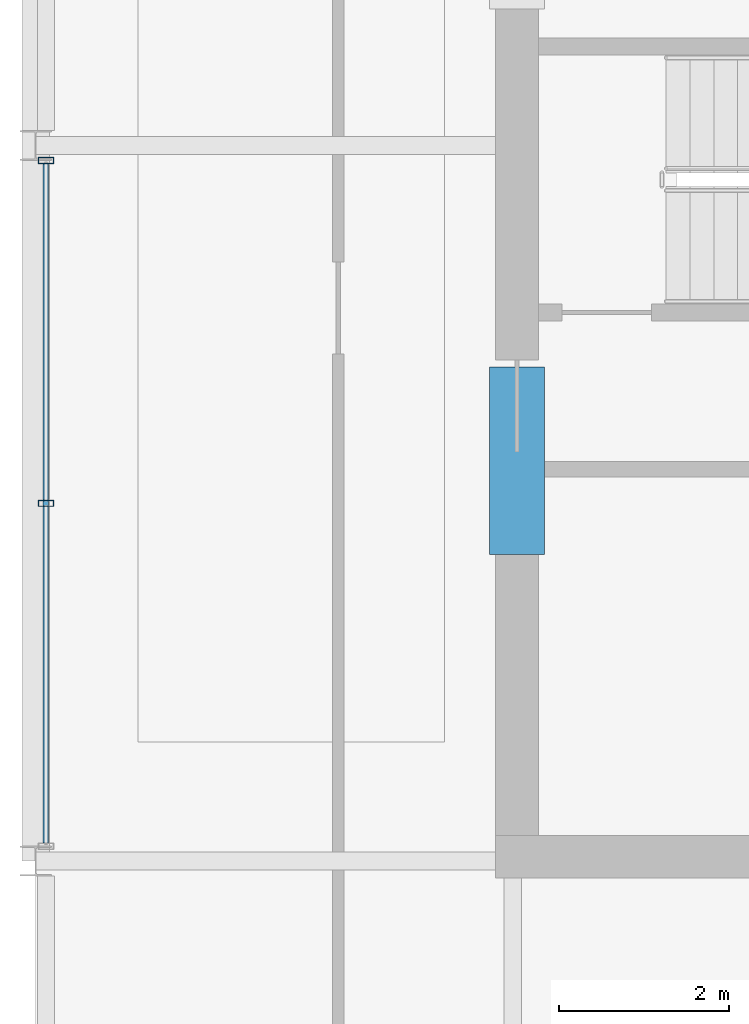
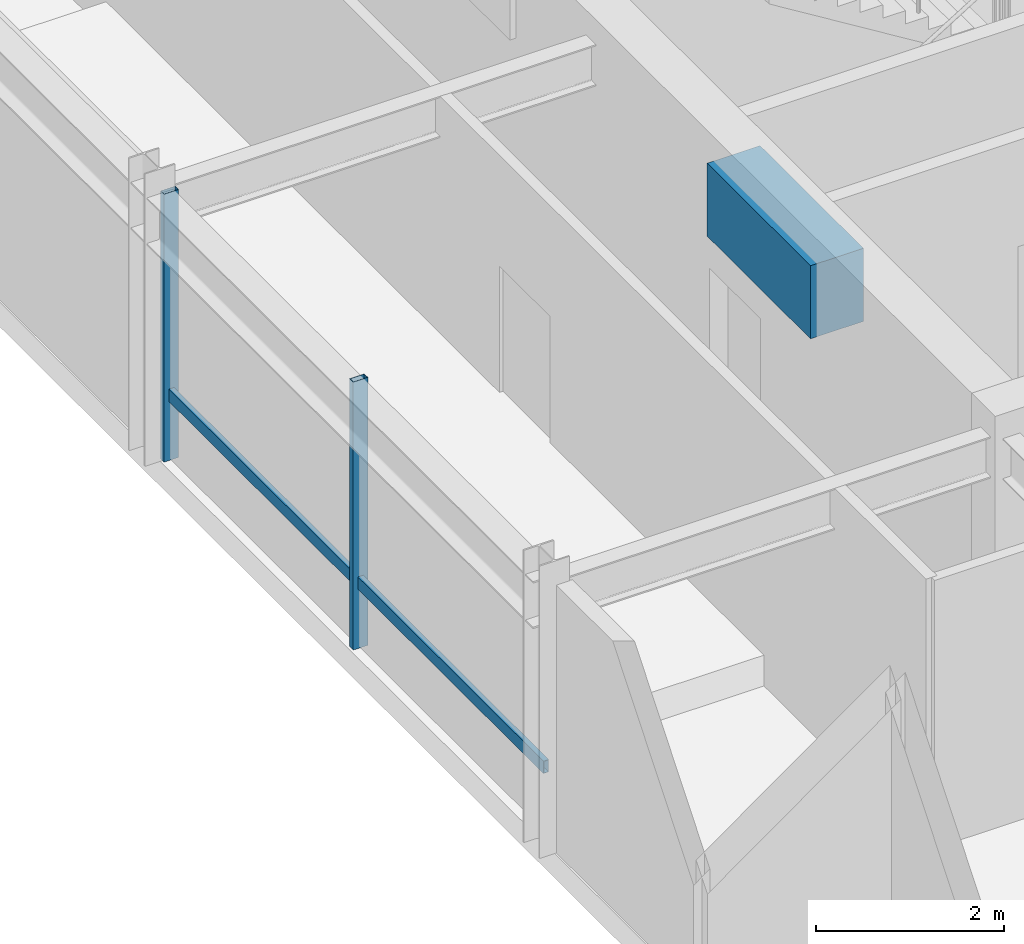
# One storey, part 4 of 12: 3 members, 1 beam, 1 element without a shape of its own.
"""IFC4 building model written with IfcOpenShell, lengths in metres."""

from ifc_helpers import new_model, si_unit, direction, frame, origin, origin_2d, place, context, subcontext, project, spatial, rectangle, hollow_rectangle, extrude, material, layer, layer_set, material_profile, profile_set, type_object, element, aggregate, save


model = new_model("IFC4")

# Units and contexts
model_context = context("Model", 3, precision=1e-05, world=origin(), true_north=direction((0.0, 1.0)))
body_context = subcontext(model_context, "Body", "Model", "MODEL_VIEW")
ifc_project = project(units=[si_unit("LENGTHUNIT", "METRE"), si_unit("AREAUNIT", "SQUARE_METRE"), si_unit("VOLUMEUNIT", "CUBIC_METRE"), si_unit("PLANEANGLEUNIT", "RADIAN"), si_unit("MASSUNIT", "GRAM", prefix="KILO")], contexts=[model_context])

# Site, building, storey
site_placement = place(None, origin())
site = spatial("IfcSite", under=ifc_project, at=site_placement, CompositionType="ELEMENT")
building_placement = place(site_placement, origin())
building = spatial("IfcBuilding", under=site, at=building_placement, Name="Drelvath Grand Hotel", CompositionType="ELEMENT")
storey_placement = place(building_placement, frame((0.0, 0.0, 319.39990234375)))
storey = spatial("IfcBuildingStorey", under=building, at=storey_placement, Name="L83", CompositionType="ELEMENT", Elevation=319.39990234375)

# Beam
ifc_material_1 = material(Name="Concrete f'c 55 MPa", Category="concrete")
ifc_material_profile_1 = material_profile(ifc_material_1, rectangle(XDim=0.64990234375, YDim=0.949951171875, at=origin_2d()), Name="CB650X950")
ifc_profile_set_1 = profile_set([ifc_material_profile_1], Name="Concrete f'c 55 MPa")
beam_type = type_object("IfcBeamType", Name="Core Coupling Lintel CB650X950", PredefinedType="LINTEL", material=ifc_profile_set_1)
beam_placement = place(storey_placement, frame((-8.35009765625, 22.199951171875, 3.005126953125), z_axis=(0.0, 1.0, 0.0), x_axis=(-1.0, 0.0, 0.0)))
element("IfcBeam", 1, at=beam_placement, inside=storey, type_object=beam_type, Name="L83 Core Coupling Lintel WS", PredefinedType="LINTEL", context=body_context, shape_type="SweptSolid", body=[
    extrude(rectangle(XDim=0.64990234375, YDim=0.949951171875, at=origin_2d()), origin(), (0.0, 0.0, 1.0), 2.199951171875),
])

# Curtain wall, members
ifc_material_2 = material(Name="Pale-Metal Anodised Aluminium Crown Frame", Category="aluminium")
ifc_layer = layer(ifc_material_2, 0.199951171875)
ifc_layer_set = layer_set([ifc_layer], Name="Pale-Metal Anodised Aluminium Crown Frame")
curtain_wall_type = type_object("IfcCurtainWallType", Name="Stick Curtain Wall CW-06 Pale-Metal Crown Clerestory", PredefinedType="NOTDEFINED", material=ifc_layer_set)
curtain_wall_placement = place(storey_placement, origin())
curtain_wall = element("IfcCurtainWall", 2, at=curtain_wall_placement, inside=storey, type_object=curtain_wall_type, Name="L83 CW-06 Curtain Wall CW06-L83-W", PredefinedType="NOTDEFINED")
ifc_material_profile_2 = material_profile(ifc_material_2, hollow_rectangle(XDim=0.06494140625, YDim=0.159912109375, WallThickness=0.00390625, at=origin_2d()), Name="HSS160X65X4")
ifc_profile_set_2 = profile_set([ifc_material_profile_2], Name="Pale-Metal Anodised Aluminium Crown Frame")
member_type_1 = type_object("IfcMemberType", Name="Curtain Wall Horizontal Transom CW-06 HSS160X65X4", PredefinedType="USERDEFINED", material=ifc_profile_set_2)
member_1_placement = place(storey_placement, frame((-13.8798828125, 18.81396484375, 0.85009765625), z_axis=(0.0, 1.0, 0.0), x_axis=(-1.0, 0.0, 0.0)))
member_1 = element("IfcMember", 3, at=member_1_placement, type_object=member_type_1, Name="CW06-L83-W Sill Transom", ObjectType="TRANSOM", PredefinedType="USERDEFINED", context=body_context, shape_type="SweptSolid", body=[
    extrude(hollow_rectangle(XDim=0.06494140625, YDim=0.159912109375, WallThickness=0.00390625, at=origin_2d()), origin(), (0.0, 0.0, 1.0), 7.971923828125),
])
ifc_material_profile_3 = material_profile(ifc_material_2, hollow_rectangle(XDim=0.074951171875, YDim=0.179931640625, WallThickness=0.0048828125, at=origin_2d()), Name="HSS180X75X5")
ifc_profile_set_3 = profile_set([ifc_material_profile_3], Name="Pale-Metal Anodised Aluminium Crown Frame")
member_type_2 = type_object("IfcMemberType", Name="Curtain Wall Vertical Mullion CW-06 HSS180X75X5", PredefinedType="MULLION", material=ifc_profile_set_3)
member_2_placement = place(storey_placement, frame((-13.8798828125, 22.800048828125, 0.0), z_axis=(0.0, 0.0, 1.0), x_axis=(0.0, 1.0, 0.0)))
member_2 = element("IfcMember", 4, at=member_2_placement, type_object=member_type_2, Name="CW06-L83-W Mullion 2", PredefinedType="MULLION", context=body_context, shape_type="SweptSolid", body=[
    extrude(hollow_rectangle(XDim=0.074951171875, YDim=0.179931640625, WallThickness=0.0048828125, at=origin_2d()), origin(), (0.0, 0.0, 1.0), 3.47998046875),
])
member_3_placement = place(storey_placement, frame((-13.8798828125, 26.825927734375, 0.0), z_axis=(0.0, 0.0, 1.0), x_axis=(0.0, 1.0, 0.0)))
member_3 = element("IfcMember", 5, at=member_3_placement, type_object=member_type_2, Name="CW06-L83-W Mullion 3", PredefinedType="MULLION", context=body_context, shape_type="SweptSolid", body=[
    extrude(hollow_rectangle(XDim=0.074951171875, YDim=0.179931640625, WallThickness=0.0048828125, at=origin_2d()), origin(), (0.0, 0.0, 1.0), 3.47998046875),
])
aggregate(curtain_wall, [member_2, member_3, member_1])

save(model, "model.ifc")
